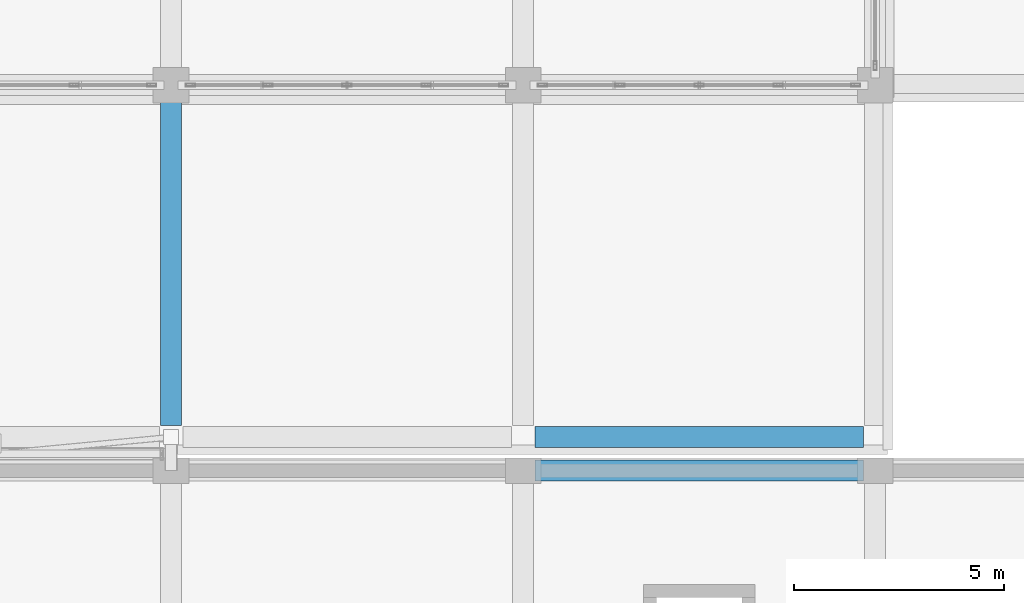
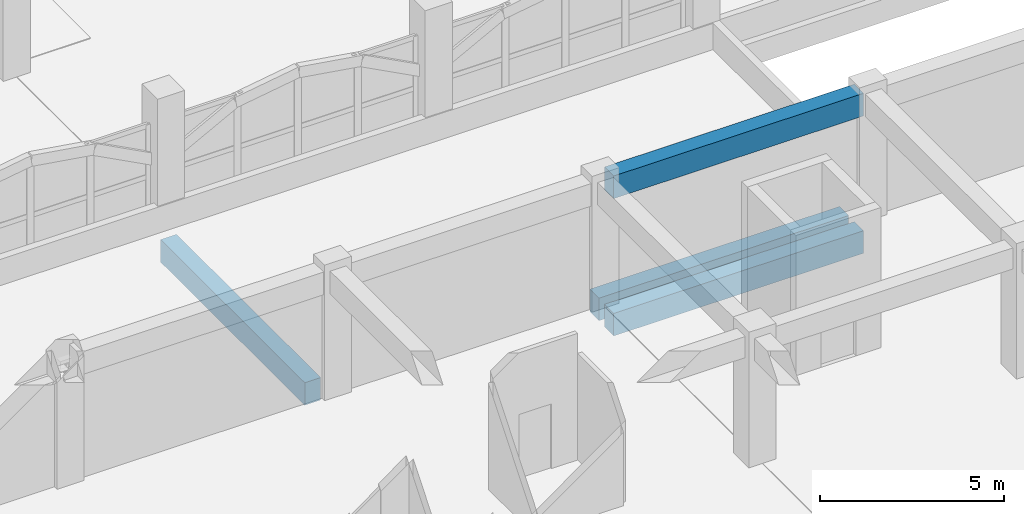
# One storey, part 21 of 129: 4 beams.
"""IFC4 building model written with IfcOpenShell, lengths in metres."""

from ifc_helpers import new_model, si_unit, direction, frame, origin, origin_2d, place, context, subcontext, project, spatial, rectangle, extrude, material, material_profile, profile_set, type_object, element, save


model = new_model("IFC4")

# Units and contexts
model_context = context("Model", 3, precision=1e-05, world=origin(), true_north=direction((0.0, 1.0)))
body_context = subcontext(model_context, "Body", "Model", "MODEL_VIEW")
ifc_project = project(units=[si_unit("LENGTHUNIT", "METRE"), si_unit("AREAUNIT", "SQUARE_METRE"), si_unit("VOLUMEUNIT", "CUBIC_METRE"), si_unit("PLANEANGLEUNIT", "RADIAN"), si_unit("MASSUNIT", "GRAM", prefix="KILO")], contexts=[model_context])

# Site, building, storey
site_placement = place(None, origin())
site = spatial("IfcSite", under=ifc_project, at=site_placement, CompositionType="ELEMENT")
building_placement = place(site_placement, origin())
building = spatial("IfcBuilding", under=site, at=building_placement, Name="Xazarin Passage Department Store", CompositionType="ELEMENT")
storey_placement = place(building_placement, frame((0.0, 0.0, 9.89990234375)))
storey = spatial("IfcBuildingStorey", under=building, at=storey_placement, Name="L02", CompositionType="ELEMENT", Elevation=9.89990234375)

# Beams
ifc_material = material(Name="Concrete C35/45", Category="concrete")
ifc_material_profile = material_profile(ifc_material, rectangle(XDim=0.5, YDim=0.75, at=origin_2d()), Name="RC 500x750")
ifc_profile_set = profile_set([ifc_material_profile], Name="Concrete C35/45")
beam_type = type_object("IfcBeamType", Name="STR-BM-SP500x750", PredefinedType="SPANDREL", material=ifc_profile_set)
for number, where, z_axis, x_axis, name in (
    (1, (42.280029296875, 51.199951171875, -0.6748046875), (1.0, 0.0, 0.0), (0.0, 1.0, 0.0), "L02 Grid Beam H/6-7"),
    (2, (33.60009765625, 51.47998046875, -0.6748046875), (0.0, 1.0, 0.0), (-1.0, 0.0, 0.0), "L02 Grid Beam 5/H-J"),
    (3, (42.280029296875, 50.39990234375, -0.69482421875), (1.0, 0.0, 0.0), (0.0, 1.0, 0.0), "L02 Grid Beam G/6-7"),
    (4, (42.280029296875, 50.39990234375, 3.864990234375), (1.0, 0.0, 0.0), (0.0, 1.0, 0.0), "L02 Grid Beam G/6-7"),
):
    element("IfcBeam", number, at=place(storey_placement, frame(where, z_axis=z_axis, x_axis=x_axis)), inside=storey, type_object=beam_type, Name=name, PredefinedType="SPANDREL", context=body_context, shape_type="SweptSolid", body=[
        extrude(rectangle(XDim=0.5, YDim=0.75, at=origin_2d()), origin(), (0.0, 0.0, 1.0), 7.840087890625),
    ])

save(model, "model.ifc")
